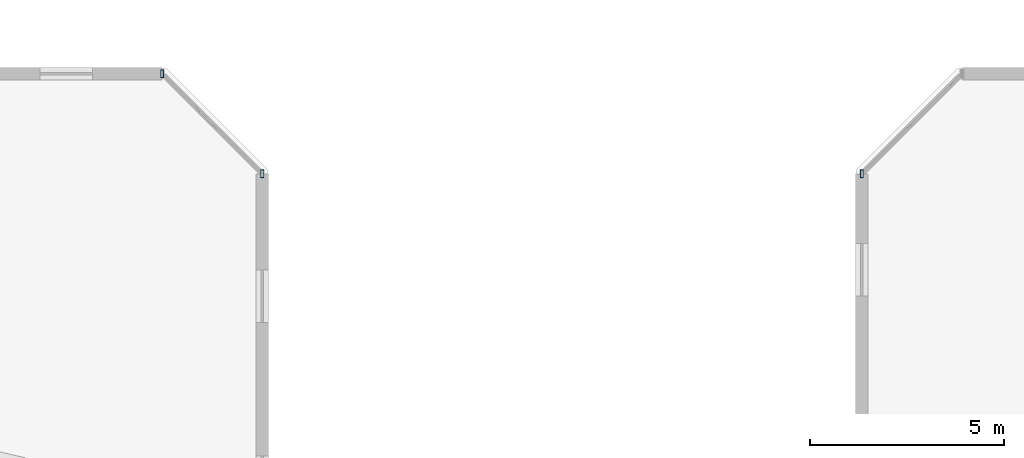
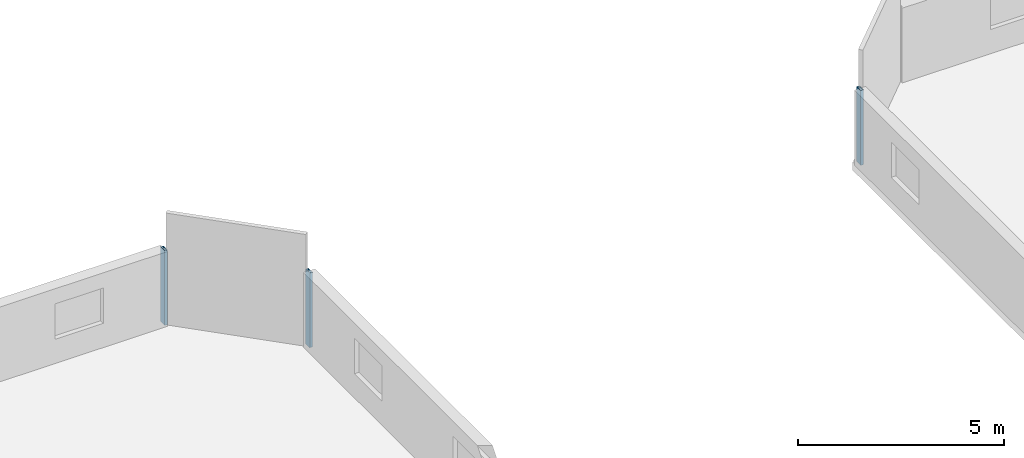
# One storey, part 10 of 36: 3 members, 2 elements without a shape of their own.
"""IFC4 building model written with IfcOpenShell, lengths in metres."""

from ifc_helpers import new_model, si_unit, direction, frame, origin, origin_2d, place, context, subcontext, project, spatial, hollow_rectangle, extrude, material, material_profile, profile_set, type_object, element, aggregate, save


model = new_model("IFC4")

# Units and contexts
model_context = context("Model", 3, precision=1e-05, world=origin(), true_north=direction((0.0, 1.0)))
body_context = subcontext(model_context, "Body", "Model", "MODEL_VIEW")
ifc_project = project(units=[si_unit("LENGTHUNIT", "METRE"), si_unit("AREAUNIT", "SQUARE_METRE"), si_unit("VOLUMEUNIT", "CUBIC_METRE"), si_unit("PLANEANGLEUNIT", "RADIAN"), si_unit("MASSUNIT", "GRAM", prefix="KILO")], contexts=[model_context])

# Site, building, storey
site_placement = place(None, origin())
site = spatial("IfcSite", under=ifc_project, at=site_placement, CompositionType="ELEMENT")
building_placement = place(site_placement, origin())
building = spatial("IfcBuilding", under=site, at=building_placement, Name="Thornwick Lancets Civic Towers", CompositionType="ELEMENT")
storey_placement = place(building_placement, frame((0.0, 0.0, 196.5)))
storey = spatial("IfcBuildingStorey", under=building, at=storey_placement, Name="L52", CompositionType="ELEMENT", Elevation=196.5)

# Curtain wall, members
ifc_material_1 = material(Name="Mid-zone chamfered-corner unitised glass curtain wall", Category="glass")
curtain_wall_type = type_object("IfcCurtainWallType", Name="CW_SYS_04", PredefinedType="NOTDEFINED", material=ifc_material_1)
curtain_wall_1_placement = place(storey_placement, origin())
curtain_wall_1 = element("IfcCurtainWall", 1, at=curtain_wall_1_placement, inside=storey, type_object=curtain_wall_type, Name="L52 Curtain Wall CW-L52-A-E3", PredefinedType="NOTDEFINED")
ifc_material_2 = material(Name="Thermally broken bronze aluminium S355", Category="steel")
ifc_material_profile = material_profile(ifc_material_2, hollow_rectangle(XDim=0.080078125, YDim=0.199951171875, WallThickness=0.006103515625, at=origin_2d()), Name="RHS 200x80x6")
ifc_profile_set = profile_set([ifc_material_profile], Name="Thermally broken bronze aluminium S355")
member_type = type_object("IfcMemberType", Name="CW_MUL_200", PredefinedType="MULLION", material=ifc_profile_set)
member_1_placement = place(storey_placement, frame((49.2646484375, 48.181396484375, 0.0), z_axis=(0.0, 0.0, 1.0), x_axis=(1.0, 0.0, 0.0)))
member_1 = element("IfcMember", 2, at=member_1_placement, type_object=member_type, Name="CW-L52-A-E3 Mullion 0", PredefinedType="MULLION", context=body_context, shape_type="SweptSolid", body=[
    extrude(hollow_rectangle(XDim=0.080078125, YDim=0.199951171875, WallThickness=0.006103515625, at=origin_2d()), origin(), (0.0, 0.0, 1.0), 2.219970703125),
])
member_2_placement = place(storey_placement, frame((46.681396484375, 50.7646484375, 0.0), z_axis=(0.0, 0.0, 1.0), x_axis=(1.0, 0.0, 0.0)))
member_2 = element("IfcMember", 3, at=member_2_placement, type_object=member_type, Name="CW-L52-A-E3 Mullion 1", PredefinedType="MULLION", context=body_context, shape_type="SweptSolid", body=[
    extrude(hollow_rectangle(XDim=0.080078125, YDim=0.199951171875, WallThickness=0.006103515625, at=origin_2d()), origin(), (0.0, 0.0, 1.0), 2.219970703125),
])
aggregate(curtain_wall_1, [member_1, member_2])

# Curtain wall, member
curtain_wall_2_placement = place(storey_placement, origin())
curtain_wall_2 = element("IfcCurtainWall", 4, at=curtain_wall_2_placement, inside=storey, type_object=curtain_wall_type, Name="L52 Curtain Wall CW-L52-B-E5", PredefinedType="NOTDEFINED")
member_3_placement = place(storey_placement, frame((64.7353515625, 48.181396484375, 0.0), z_axis=(0.0, 0.0, 1.0), x_axis=(1.0, 0.0, 0.0)))
member_3 = element("IfcMember", 5, at=member_3_placement, type_object=member_type, Name="CW-L52-B-E5 Mullion 1", PredefinedType="MULLION", context=body_context, shape_type="SweptSolid", body=[
    extrude(hollow_rectangle(XDim=0.080078125, YDim=0.199951171875, WallThickness=0.006103515625, at=origin_2d()), origin(), (0.0, 0.0, 1.0), 2.219970703125),
])
aggregate(curtain_wall_2, [member_3])

save(model, "model.ifc")
